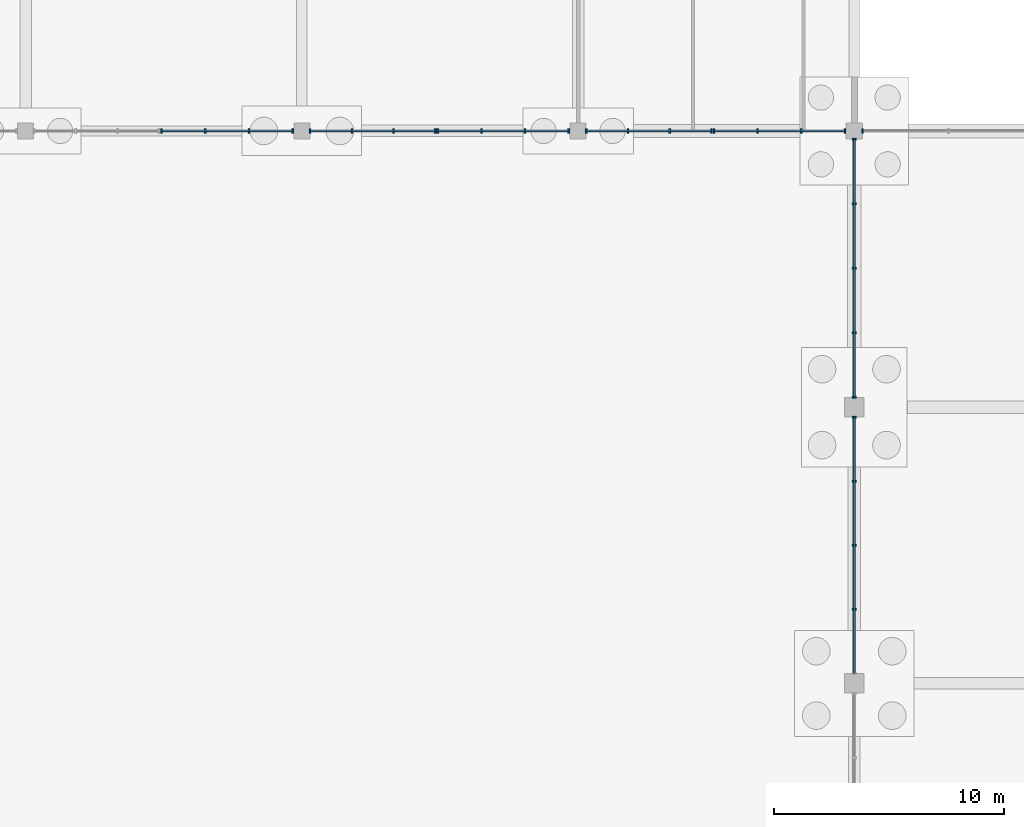
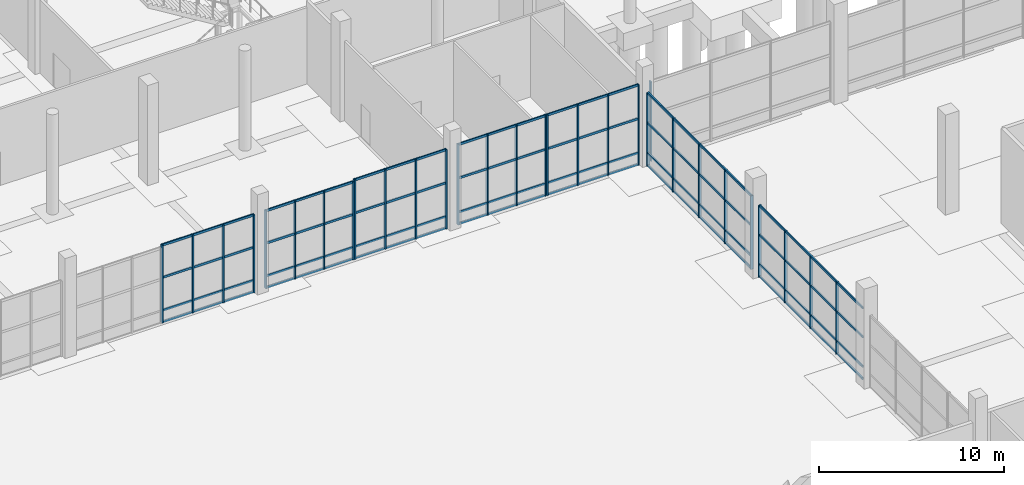
# One storey, part 53 of 117: 58 members, 8 elements without a shape of their own.
"""IFC4 building model written with IfcOpenShell, lengths in metres."""

from ifc_helpers import new_model, si_unit, direction, frame, origin, origin_2d, place, context, subcontext, project, spatial, rectangle, extrude, material, material_profile, profile_set, type_object, element, aggregate, save


model = new_model("IFC4")

# Units and contexts
model_context = context("Model", 3, precision=1e-05, world=origin(), true_north=direction((0.0, 1.0)))
body_context = subcontext(model_context, "Body", "Model", "MODEL_VIEW")
ifc_project = project(units=[si_unit("LENGTHUNIT", "METRE"), si_unit("AREAUNIT", "SQUARE_METRE"), si_unit("VOLUMEUNIT", "CUBIC_METRE"), si_unit("PLANEANGLEUNIT", "RADIAN"), si_unit("MASSUNIT", "GRAM", prefix="KILO")], contexts=[model_context])

# Site, building, storey
site_placement = place(None, origin())
site = spatial("IfcSite", under=ifc_project, at=site_placement, CompositionType="ELEMENT")
building_placement = place(site_placement, origin())
building = spatial("IfcBuilding", under=site, at=building_placement, Name="Kamomehara Wholesale Market", CompositionType="ELEMENT")
storey_placement = place(building_placement, origin())
storey = spatial("IfcBuildingStorey", under=building, at=storey_placement, Name="L00", CompositionType="ELEMENT", Elevation=0.0)

# Curtain wall, members
ifc_material_1 = material(Name="Anodised aluminium 6063-T5", Category="aluminium")
curtain_wall_type_1 = type_object("IfcCurtainWallType", Name="CW-UN-03", PredefinedType="NOTDEFINED", material=ifc_material_1)
curtain_wall_1_placement = place(storey_placement, origin())
curtain_wall_1 = element("IfcCurtainWall", 1, at=curtain_wall_1_placement, inside=storey, type_object=curtain_wall_type_1, Name="Unitised curtain wall CW-023", PredefinedType="NOTDEFINED")
ifc_material_2 = material(Name="Anodised aluminium 6063-T5", Category="aluminium")
ifc_material_profile_1 = material_profile(ifc_material_2, rectangle(XDim=0.074951171875, YDim=0.179931640625, at=origin_2d()), Name="ALU-MUL-75x180")
ifc_profile_set_1 = profile_set([ifc_material_profile_1], Name="Anodised aluminium 6063-T5")
member_type_1 = type_object("IfcMemberType", Name="CW-MUL-180", PredefinedType="MULLION", material=ifc_profile_set_1)
member_1_placement = place(storey_placement, frame((131.60009765625, 96.0, 0.0), z_axis=(0.0, 0.0, 1.0), x_axis=(-1.0, 0.0, 0.0)))
member_1 = element("IfcMember", 2, at=member_1_placement, type_object=member_type_1, Name="Mullion CW-023.0", PredefinedType="MULLION", context=body_context, shape_type="SweptSolid", body=[
    extrude(rectangle(XDim=0.074951171875, YDim=0.179931640625, at=origin_2d()), origin(), (0.0, 0.0, 1.0), 5.137939453125),
])
member_2_placement = place(storey_placement, frame((129.699951171875, 96.0, 0.0), z_axis=(0.0, 0.0, 1.0), x_axis=(-1.0, 0.0, 0.0)))
member_2 = element("IfcMember", 3, at=member_2_placement, type_object=member_type_1, Name="Mullion CW-023.1", PredefinedType="MULLION", context=body_context, shape_type="SweptSolid", body=[
    extrude(rectangle(XDim=0.074951171875, YDim=0.179931640625, at=origin_2d()), origin(), (0.0, 0.0, 1.0), 5.137939453125),
])
member_3_placement = place(storey_placement, frame((127.800048828125, 96.0, 0.0), z_axis=(0.0, 0.0, 1.0), x_axis=(-1.0, 0.0, 0.0)))
member_3 = element("IfcMember", 4, at=member_3_placement, type_object=member_type_1, Name="Mullion CW-023.2", PredefinedType="MULLION", context=body_context, shape_type="SweptSolid", body=[
    extrude(rectangle(XDim=0.074951171875, YDim=0.179931640625, at=origin_2d()), origin(), (0.0, 0.0, 1.0), 5.137939453125),
])
member_4_placement = place(storey_placement, frame((125.89990234375, 96.0, 0.0), z_axis=(0.0, 0.0, 1.0), x_axis=(-1.0, 0.0, 0.0)))
member_4 = element("IfcMember", 5, at=member_4_placement, type_object=member_type_1, Name="Mullion CW-023.3", PredefinedType="MULLION", context=body_context, shape_type="SweptSolid", body=[
    extrude(rectangle(XDim=0.074951171875, YDim=0.179931640625, at=origin_2d()), origin(), (0.0, 0.0, 1.0), 5.137939453125),
])

curtain_wall_2_placement = place(storey_placement, origin())
curtain_wall_2 = element("IfcCurtainWall", 6, at=curtain_wall_2_placement, inside=storey, type_object=curtain_wall_type_1, Name="Unitised curtain wall CW-025", PredefinedType="NOTDEFINED")
member_5_placement = place(storey_placement, frame((143.60009765625, 96.0, 0.0), z_axis=(0.0, 0.0, 1.0), x_axis=(-1.0, 0.0, 0.0)))
member_5 = element("IfcMember", 7, at=member_5_placement, type_object=member_type_1, Name="Mullion CW-025.0", PredefinedType="MULLION", context=body_context, shape_type="SweptSolid", body=[
    extrude(rectangle(XDim=0.074951171875, YDim=0.179931640625, at=origin_2d()), origin(), (0.0, 0.0, 1.0), 5.238037109375),
])
member_6_placement = place(storey_placement, frame((141.699951171875, 96.0, 0.0), z_axis=(0.0, 0.0, 1.0), x_axis=(-1.0, 0.0, 0.0)))
member_6 = element("IfcMember", 8, at=member_6_placement, type_object=member_type_1, Name="Mullion CW-025.1", PredefinedType="MULLION", context=body_context, shape_type="SweptSolid", body=[
    extrude(rectangle(XDim=0.074951171875, YDim=0.179931640625, at=origin_2d()), origin(), (0.0, 0.0, 1.0), 5.238037109375),
])
member_7_placement = place(storey_placement, frame((139.800048828125, 96.0, 0.0), z_axis=(0.0, 0.0, 1.0), x_axis=(-1.0, 0.0, 0.0)))
member_7 = element("IfcMember", 9, at=member_7_placement, type_object=member_type_1, Name="Mullion CW-025.2", PredefinedType="MULLION", context=body_context, shape_type="SweptSolid", body=[
    extrude(rectangle(XDim=0.074951171875, YDim=0.179931640625, at=origin_2d()), origin(), (0.0, 0.0, 1.0), 5.238037109375),
])
member_8_placement = place(storey_placement, frame((137.89990234375, 96.0, 0.0), z_axis=(0.0, 0.0, 1.0), x_axis=(-1.0, 0.0, 0.0)))
member_8 = element("IfcMember", 10, at=member_8_placement, type_object=member_type_1, Name="Mullion CW-025.3", PredefinedType="MULLION", context=body_context, shape_type="SweptSolid", body=[
    extrude(rectangle(XDim=0.074951171875, YDim=0.179931640625, at=origin_2d()), origin(), (0.0, 0.0, 1.0), 5.238037109375),
])

curtain_wall_3_placement = place(storey_placement, origin())
curtain_wall_3 = element("IfcCurtainWall", 11, at=curtain_wall_3_placement, inside=storey, type_object=curtain_wall_type_1, Name="Unitised curtain wall CW-026", PredefinedType="NOTDEFINED")
member_9_placement = place(storey_placement, frame((137.800048828125, 96.0, 0.0), z_axis=(0.0, 0.0, 1.0), x_axis=(-1.0, 0.0, 0.0)))
member_9 = element("IfcMember", 12, at=member_9_placement, type_object=member_type_1, Name="Mullion CW-026.0", PredefinedType="MULLION", context=body_context, shape_type="SweptSolid", body=[
    extrude(rectangle(XDim=0.074951171875, YDim=0.179931640625, at=origin_2d()), origin(), (0.0, 0.0, 1.0), 5.137939453125),
])
member_10_placement = place(storey_placement, frame((135.987060546875, 96.0, 0.0), z_axis=(0.0, 0.0, 1.0), x_axis=(-1.0, 0.0, 0.0)))
member_10 = element("IfcMember", 13, at=member_10_placement, type_object=member_type_1, Name="Mullion CW-026.1", PredefinedType="MULLION", context=body_context, shape_type="SweptSolid", body=[
    extrude(rectangle(XDim=0.074951171875, YDim=0.179931640625, at=origin_2d()), origin(), (0.0, 0.0, 1.0), 5.137939453125),
])
member_11_placement = place(storey_placement, frame((134.173095703125, 96.0, 0.0), z_axis=(0.0, 0.0, 1.0), x_axis=(-1.0, 0.0, 0.0)))
member_11 = element("IfcMember", 14, at=member_11_placement, type_object=member_type_1, Name="Mullion CW-026.2", PredefinedType="MULLION", context=body_context, shape_type="SweptSolid", body=[
    extrude(rectangle(XDim=0.074951171875, YDim=0.179931640625, at=origin_2d()), origin(), (0.0, 0.0, 1.0), 5.137939453125),
])
member_12_placement = place(storey_placement, frame((132.360107421875, 96.0, 0.0), z_axis=(0.0, 0.0, 1.0), x_axis=(-1.0, 0.0, 0.0)))
member_12 = element("IfcMember", 15, at=member_12_placement, type_object=member_type_1, Name="Mullion CW-026.3", PredefinedType="MULLION", context=body_context, shape_type="SweptSolid", body=[
    extrude(rectangle(XDim=0.074951171875, YDim=0.179931640625, at=origin_2d()), origin(), (0.0, 0.0, 1.0), 5.137939453125),
])

curtain_wall_4_placement = place(storey_placement, origin())
curtain_wall_4 = element("IfcCurtainWall", 16, at=curtain_wall_4_placement, inside=storey, type_object=curtain_wall_type_1, Name="Unitised curtain wall CW-027", PredefinedType="NOTDEFINED")
member_13_placement = place(storey_placement, frame((155.60009765625, 96.0, 0.0), z_axis=(0.0, 0.0, 1.0), x_axis=(-1.0, 0.0, 0.0)))
member_13 = element("IfcMember", 17, at=member_13_placement, type_object=member_type_1, Name="Mullion CW-027.0", PredefinedType="MULLION", context=body_context, shape_type="SweptSolid", body=[
    extrude(rectangle(XDim=0.074951171875, YDim=0.179931640625, at=origin_2d()), origin(), (0.0, 0.0, 1.0), 5.30810546875),
])
member_14_placement = place(storey_placement, frame((153.699951171875, 96.0, 0.0), z_axis=(0.0, 0.0, 1.0), x_axis=(-1.0, 0.0, 0.0)))
member_14 = element("IfcMember", 18, at=member_14_placement, type_object=member_type_1, Name="Mullion CW-027.1", PredefinedType="MULLION", context=body_context, shape_type="SweptSolid", body=[
    extrude(rectangle(XDim=0.074951171875, YDim=0.179931640625, at=origin_2d()), origin(), (0.0, 0.0, 1.0), 5.30810546875),
])
member_15_placement = place(storey_placement, frame((151.800048828125, 96.0, 0.0), z_axis=(0.0, 0.0, 1.0), x_axis=(-1.0, 0.0, 0.0)))
member_15 = element("IfcMember", 19, at=member_15_placement, type_object=member_type_1, Name="Mullion CW-027.2", PredefinedType="MULLION", context=body_context, shape_type="SweptSolid", body=[
    extrude(rectangle(XDim=0.074951171875, YDim=0.179931640625, at=origin_2d()), origin(), (0.0, 0.0, 1.0), 5.30810546875),
])
member_16_placement = place(storey_placement, frame((149.89990234375, 96.0, 0.0), z_axis=(0.0, 0.0, 1.0), x_axis=(-1.0, 0.0, 0.0)))
member_16 = element("IfcMember", 20, at=member_16_placement, type_object=member_type_1, Name="Mullion CW-027.3", PredefinedType="MULLION", context=body_context, shape_type="SweptSolid", body=[
    extrude(rectangle(XDim=0.074951171875, YDim=0.179931640625, at=origin_2d()), origin(), (0.0, 0.0, 1.0), 5.30810546875),
])

curtain_wall_5_placement = place(storey_placement, origin())
curtain_wall_5 = element("IfcCurtainWall", 21, at=curtain_wall_5_placement, inside=storey, type_object=curtain_wall_type_1, Name="Unitised curtain wall CW-028", PredefinedType="NOTDEFINED")
member_17_placement = place(storey_placement, frame((149.800048828125, 96.0, 0.0), z_axis=(0.0, 0.0, 1.0), x_axis=(-1.0, 0.0, 0.0)))
member_17 = element("IfcMember", 22, at=member_17_placement, type_object=member_type_1, Name="Mullion CW-028.0", PredefinedType="MULLION", context=body_context, shape_type="SweptSolid", body=[
    extrude(rectangle(XDim=0.074951171875, YDim=0.179931640625, at=origin_2d()), origin(), (0.0, 0.0, 1.0), 5.30810546875),
])
member_18_placement = place(storey_placement, frame((147.987060546875, 96.0, 0.0), z_axis=(0.0, 0.0, 1.0), x_axis=(-1.0, 0.0, 0.0)))
member_18 = element("IfcMember", 23, at=member_18_placement, type_object=member_type_1, Name="Mullion CW-028.1", PredefinedType="MULLION", context=body_context, shape_type="SweptSolid", body=[
    extrude(rectangle(XDim=0.074951171875, YDim=0.179931640625, at=origin_2d()), origin(), (0.0, 0.0, 1.0), 5.30810546875),
])
member_19_placement = place(storey_placement, frame((146.173095703125, 96.0, 0.0), z_axis=(0.0, 0.0, 1.0), x_axis=(-1.0, 0.0, 0.0)))
member_19 = element("IfcMember", 24, at=member_19_placement, type_object=member_type_1, Name="Mullion CW-028.2", PredefinedType="MULLION", context=body_context, shape_type="SweptSolid", body=[
    extrude(rectangle(XDim=0.074951171875, YDim=0.179931640625, at=origin_2d()), origin(), (0.0, 0.0, 1.0), 5.30810546875),
])
member_20_placement = place(storey_placement, frame((144.360107421875, 96.0, 0.0), z_axis=(0.0, 0.0, 1.0), x_axis=(-1.0, 0.0, 0.0)))
member_20 = element("IfcMember", 25, at=member_20_placement, type_object=member_type_1, Name="Mullion CW-028.3", PredefinedType="MULLION", context=body_context, shape_type="SweptSolid", body=[
    extrude(rectangle(XDim=0.074951171875, YDim=0.179931640625, at=origin_2d()), origin(), (0.0, 0.0, 1.0), 5.30810546875),
])

# Curtain wall, member
ifc_material_3 = material(Name="Anodised aluminium 6063-T5", Category="aluminium")
curtain_wall_type_2 = type_object("IfcCurtainWallType", Name="CW-UN-08", PredefinedType="NOTDEFINED", material=ifc_material_3)
curtain_wall_6_placement = place(storey_placement, origin())
curtain_wall_6 = element("IfcCurtainWall", 26, at=curtain_wall_6_placement, inside=storey, type_object=curtain_wall_type_2, Name="Unitised curtain wall CW-171", PredefinedType="NOTDEFINED")
member_21_placement = place(storey_placement, frame((156.360107421875, 96.0, 0.0), z_axis=(0.0, 0.0, 1.0), x_axis=(1.0, 0.0, 0.0)))
member_21 = element("IfcMember", 27, at=member_21_placement, type_object=member_type_1, Name="Mullion CW-171.0", PredefinedType="MULLION", context=body_context, shape_type="SweptSolid", body=[
    extrude(rectangle(XDim=0.074951171875, YDim=0.179931640625, at=origin_2d()), origin(), (0.0, 0.0, 1.0), 5.248046875),
])
aggregate(curtain_wall_6, [member_21])

# Curtain wall, members
ifc_material_4 = material(Name="Anodised aluminium 6063-T5", Category="aluminium")
curtain_wall_type_3 = type_object("IfcCurtainWallType", Name="CW-UN-01", PredefinedType="NOTDEFINED", material=ifc_material_4)
curtain_wall_7_placement = place(storey_placement, origin())
curtain_wall_7 = element("IfcCurtainWall", 28, at=curtain_wall_7_placement, inside=storey, type_object=curtain_wall_type_3, Name="Unitised curtain wall CW-175", PredefinedType="NOTDEFINED")
member_22_placement = place(storey_placement, frame((156.0, 75.218017578125, 0.0), z_axis=(0.0, 0.0, 1.0), x_axis=(0.0, 1.0, 0.0)))
member_22 = element("IfcMember", 29, at=member_22_placement, type_object=member_type_1, Name="Mullion CW-175.1", PredefinedType="MULLION", context=body_context, shape_type="SweptSolid", body=[
    extrude(rectangle(XDim=0.074951171875, YDim=0.179931640625, at=origin_2d()), origin(), (0.0, 0.0, 1.0), 4.748046875),
])
member_23_placement = place(storey_placement, frame((156.0, 78.0, 0.0), z_axis=(0.0, 0.0, 1.0), x_axis=(0.0, 1.0, 0.0)))
member_23 = element("IfcMember", 30, at=member_23_placement, type_object=member_type_1, Name="Mullion CW-175.2", PredefinedType="MULLION", context=body_context, shape_type="SweptSolid", body=[
    extrude(rectangle(XDim=0.074951171875, YDim=0.179931640625, at=origin_2d()), origin(), (0.0, 0.0, 1.0), 4.748046875),
])
member_24_placement = place(storey_placement, frame((156.0, 80.781982421875, 0.0), z_axis=(0.0, 0.0, 1.0), x_axis=(0.0, 1.0, 0.0)))
member_24 = element("IfcMember", 31, at=member_24_placement, type_object=member_type_1, Name="Mullion CW-175.3", PredefinedType="MULLION", context=body_context, shape_type="SweptSolid", body=[
    extrude(rectangle(XDim=0.074951171875, YDim=0.179931640625, at=origin_2d()), origin(), (0.0, 0.0, 1.0), 4.748046875),
])
member_25_placement = place(storey_placement, frame((156.0, 83.56494140625, 0.0), z_axis=(0.0, 0.0, 1.0), x_axis=(0.0, 1.0, 0.0)))
member_25 = element("IfcMember", 32, at=member_25_placement, type_object=member_type_1, Name="Mullion CW-175.4", PredefinedType="MULLION", context=body_context, shape_type="SweptSolid", body=[
    extrude(rectangle(XDim=0.074951171875, YDim=0.179931640625, at=origin_2d()), origin(), (0.0, 0.0, 1.0), 4.748046875),
])

curtain_wall_8_placement = place(storey_placement, origin())
curtain_wall_8 = element("IfcCurtainWall", 33, at=curtain_wall_8_placement, inside=storey, type_object=curtain_wall_type_3, Name="Unitised curtain wall CW-176", PredefinedType="NOTDEFINED")
member_26_placement = place(storey_placement, frame((156.0, 84.43505859375, 0.0), z_axis=(0.0, 0.0, 1.0), x_axis=(0.0, 1.0, 0.0)))
member_26 = element("IfcMember", 34, at=member_26_placement, type_object=member_type_1, Name="Mullion CW-176.0", PredefinedType="MULLION", context=body_context, shape_type="SweptSolid", body=[
    extrude(rectangle(XDim=0.074951171875, YDim=0.179931640625, at=origin_2d()), origin(), (0.0, 0.0, 1.0), 4.847900390625),
])
member_27_placement = place(storey_placement, frame((156.0, 87.236083984375, 0.0), z_axis=(0.0, 0.0, 1.0), x_axis=(0.0, 1.0, 0.0)))
member_27 = element("IfcMember", 35, at=member_27_placement, type_object=member_type_1, Name="Mullion CW-176.1", PredefinedType="MULLION", context=body_context, shape_type="SweptSolid", body=[
    extrude(rectangle(XDim=0.074951171875, YDim=0.179931640625, at=origin_2d()), origin(), (0.0, 0.0, 1.0), 4.847900390625),
])
member_28_placement = place(storey_placement, frame((156.0, 90.037109375, 0.0), z_axis=(0.0, 0.0, 1.0), x_axis=(0.0, 1.0, 0.0)))
member_28 = element("IfcMember", 36, at=member_28_placement, type_object=member_type_1, Name="Mullion CW-176.2", PredefinedType="MULLION", context=body_context, shape_type="SweptSolid", body=[
    extrude(rectangle(XDim=0.074951171875, YDim=0.179931640625, at=origin_2d()), origin(), (0.0, 0.0, 1.0), 4.847900390625),
])
member_29_placement = place(storey_placement, frame((156.0, 92.839111328125, 0.0), z_axis=(0.0, 0.0, 1.0), x_axis=(0.0, 1.0, 0.0)))
member_29 = element("IfcMember", 37, at=member_29_placement, type_object=member_type_1, Name="Mullion CW-176.3", PredefinedType="MULLION", context=body_context, shape_type="SweptSolid", body=[
    extrude(rectangle(XDim=0.074951171875, YDim=0.179931640625, at=origin_2d()), origin(), (0.0, 0.0, 1.0), 4.847900390625),
])
member_30_placement = place(storey_placement, frame((156.0, 95.639892578125, 0.0), z_axis=(0.0, 0.0, 1.0), x_axis=(0.0, 1.0, 0.0)))
member_30 = element("IfcMember", 38, at=member_30_placement, type_object=member_type_1, Name="Mullion CW-176.4", PredefinedType="MULLION", context=body_context, shape_type="SweptSolid", body=[
    extrude(rectangle(XDim=0.074951171875, YDim=0.179931640625, at=origin_2d()), origin(), (0.0, 0.0, 1.0), 4.847900390625),
])

# Member
ifc_material_5 = material(Name="Anodised aluminium 6063-T5", Category="aluminium")
ifc_material_profile_2 = material_profile(ifc_material_5, rectangle(XDim=0.074951171875, YDim=0.14990234375, at=origin_2d()), Name="ALU-TRN-75x150")
ifc_profile_set_2 = profile_set([ifc_material_profile_2], Name="Anodised aluminium 6063-T5")
member_type_2 = type_object("IfcMemberType", Name="CW-TRN-150", PredefinedType="USERDEFINED", material=ifc_profile_set_2)
member_31_placement = place(storey_placement, frame((131.60009765625, 96.0, 0.0400390625), z_axis=(-1.0, 0.0, 0.0), x_axis=(0.0, -1.0, 0.0)))
member_31 = element("IfcMember", 39, at=member_31_placement, type_object=member_type_2, Name="Transom CW-023.0", ObjectType="TRANSOM", PredefinedType="USERDEFINED", context=body_context, shape_type="SweptSolid", body=[
    extrude(rectangle(XDim=0.074951171875, YDim=0.14990234375, at=origin_2d()), origin(), (0.0, 0.0, 1.0), 5.7001953125),
])

member_32_placement = place(storey_placement, frame((131.60009765625, 96.0, 0.800048828125), z_axis=(-1.0, 0.0, 0.0), x_axis=(0.0, -1.0, 0.0)))
member_32 = element("IfcMember", 40, at=member_32_placement, type_object=member_type_2, Name="Transom CW-023.1", ObjectType="TRANSOM", PredefinedType="USERDEFINED", context=body_context, shape_type="SweptSolid", body=[
    extrude(rectangle(XDim=0.074951171875, YDim=0.14990234375, at=origin_2d()), origin(), (0.0, 0.0, 1.0), 5.7001953125),
])

member_33_placement = place(storey_placement, frame((131.60009765625, 96.0, 2.968994140625), z_axis=(-1.0, 0.0, 0.0), x_axis=(0.0, -1.0, 0.0)))
member_33 = element("IfcMember", 41, at=member_33_placement, type_object=member_type_2, Name="Transom CW-023.2", ObjectType="TRANSOM", PredefinedType="USERDEFINED", context=body_context, shape_type="SweptSolid", body=[
    extrude(rectangle(XDim=0.074951171875, YDim=0.14990234375, at=origin_2d()), origin(), (0.0, 0.0, 1.0), 5.7001953125),
])

member_34_placement = place(storey_placement, frame((131.60009765625, 96.0, 5.097900390625), z_axis=(-1.0, 0.0, 0.0), x_axis=(0.0, -1.0, 0.0)))
member_34 = element("IfcMember", 42, at=member_34_placement, type_object=member_type_2, Name="Transom CW-023.3", ObjectType="TRANSOM", PredefinedType="USERDEFINED", context=body_context, shape_type="SweptSolid", body=[
    extrude(rectangle(XDim=0.074951171875, YDim=0.14990234375, at=origin_2d()), origin(), (0.0, 0.0, 1.0), 5.7001953125),
])

aggregate(curtain_wall_1, [member_1, member_2, member_3, member_4, member_31, member_32, member_33, member_34])

member_35_placement = place(storey_placement, frame((143.60009765625, 96.0, 0.0400390625), z_axis=(-1.0, 0.0, 0.0), x_axis=(0.0, -1.0, 0.0)))
member_35 = element("IfcMember", 43, at=member_35_placement, type_object=member_type_2, Name="Transom CW-025.0", ObjectType="TRANSOM", PredefinedType="USERDEFINED", context=body_context, shape_type="SweptSolid", body=[
    extrude(rectangle(XDim=0.074951171875, YDim=0.14990234375, at=origin_2d()), origin(), (0.0, 0.0, 1.0), 5.7001953125),
])

member_36_placement = place(storey_placement, frame((143.60009765625, 96.0, 0.800048828125), z_axis=(-1.0, 0.0, 0.0), x_axis=(0.0, -1.0, 0.0)))
member_36 = element("IfcMember", 44, at=member_36_placement, type_object=member_type_2, Name="Transom CW-025.1", ObjectType="TRANSOM", PredefinedType="USERDEFINED", context=body_context, shape_type="SweptSolid", body=[
    extrude(rectangle(XDim=0.074951171875, YDim=0.14990234375, at=origin_2d()), origin(), (0.0, 0.0, 1.0), 5.7001953125),
])

member_37_placement = place(storey_placement, frame((143.60009765625, 96.0, 3.01904296875), z_axis=(-1.0, 0.0, 0.0), x_axis=(0.0, -1.0, 0.0)))
member_37 = element("IfcMember", 45, at=member_37_placement, type_object=member_type_2, Name="Transom CW-025.2", ObjectType="TRANSOM", PredefinedType="USERDEFINED", context=body_context, shape_type="SweptSolid", body=[
    extrude(rectangle(XDim=0.074951171875, YDim=0.14990234375, at=origin_2d()), origin(), (0.0, 0.0, 1.0), 5.7001953125),
])

member_38_placement = place(storey_placement, frame((143.60009765625, 96.0, 5.197998046875), z_axis=(-1.0, 0.0, 0.0), x_axis=(0.0, -1.0, 0.0)))
member_38 = element("IfcMember", 46, at=member_38_placement, type_object=member_type_2, Name="Transom CW-025.3", ObjectType="TRANSOM", PredefinedType="USERDEFINED", context=body_context, shape_type="SweptSolid", body=[
    extrude(rectangle(XDim=0.074951171875, YDim=0.14990234375, at=origin_2d()), origin(), (0.0, 0.0, 1.0), 5.7001953125),
])

aggregate(curtain_wall_2, [member_5, member_6, member_7, member_8, member_35, member_36, member_37, member_38])

member_39_placement = place(storey_placement, frame((137.800048828125, 96.0, 0.0400390625), z_axis=(-1.0, 0.0, 0.0), x_axis=(0.0, -1.0, 0.0)))
member_39 = element("IfcMember", 47, at=member_39_placement, type_object=member_type_2, Name="Transom CW-026.0", ObjectType="TRANSOM", PredefinedType="USERDEFINED", context=body_context, shape_type="SweptSolid", body=[
    extrude(rectangle(XDim=0.074951171875, YDim=0.14990234375, at=origin_2d()), origin(), (0.0, 0.0, 1.0), 5.43994140625),
])

member_40_placement = place(storey_placement, frame((137.800048828125, 96.0, 0.800048828125), z_axis=(-1.0, 0.0, 0.0), x_axis=(0.0, -1.0, 0.0)))
member_40 = element("IfcMember", 48, at=member_40_placement, type_object=member_type_2, Name="Transom CW-026.1", ObjectType="TRANSOM", PredefinedType="USERDEFINED", context=body_context, shape_type="SweptSolid", body=[
    extrude(rectangle(XDim=0.074951171875, YDim=0.14990234375, at=origin_2d()), origin(), (0.0, 0.0, 1.0), 5.43994140625),
])

member_41_placement = place(storey_placement, frame((137.800048828125, 96.0, 2.968994140625), z_axis=(-1.0, 0.0, 0.0), x_axis=(0.0, -1.0, 0.0)))
member_41 = element("IfcMember", 49, at=member_41_placement, type_object=member_type_2, Name="Transom CW-026.2", ObjectType="TRANSOM", PredefinedType="USERDEFINED", context=body_context, shape_type="SweptSolid", body=[
    extrude(rectangle(XDim=0.074951171875, YDim=0.14990234375, at=origin_2d()), origin(), (0.0, 0.0, 1.0), 5.43994140625),
])

member_42_placement = place(storey_placement, frame((137.800048828125, 96.0, 5.097900390625), z_axis=(-1.0, 0.0, 0.0), x_axis=(0.0, -1.0, 0.0)))
member_42 = element("IfcMember", 50, at=member_42_placement, type_object=member_type_2, Name="Transom CW-026.3", ObjectType="TRANSOM", PredefinedType="USERDEFINED", context=body_context, shape_type="SweptSolid", body=[
    extrude(rectangle(XDim=0.074951171875, YDim=0.14990234375, at=origin_2d()), origin(), (0.0, 0.0, 1.0), 5.43994140625),
])

aggregate(curtain_wall_3, [member_9, member_10, member_11, member_12, member_39, member_40, member_41, member_42])

member_43_placement = place(storey_placement, frame((155.60009765625, 96.0, 0.0400390625), z_axis=(-1.0, 0.0, 0.0), x_axis=(0.0, -1.0, 0.0)))
member_43 = element("IfcMember", 51, at=member_43_placement, type_object=member_type_2, Name="Transom CW-027.0", ObjectType="TRANSOM", PredefinedType="USERDEFINED", context=body_context, shape_type="SweptSolid", body=[
    extrude(rectangle(XDim=0.074951171875, YDim=0.14990234375, at=origin_2d()), origin(), (0.0, 0.0, 1.0), 5.7001953125),
])

member_44_placement = place(storey_placement, frame((155.60009765625, 96.0, 0.800048828125), z_axis=(-1.0, 0.0, 0.0), x_axis=(0.0, -1.0, 0.0)))
member_44 = element("IfcMember", 52, at=member_44_placement, type_object=member_type_2, Name="Transom CW-027.1", ObjectType="TRANSOM", PredefinedType="USERDEFINED", context=body_context, shape_type="SweptSolid", body=[
    extrude(rectangle(XDim=0.074951171875, YDim=0.14990234375, at=origin_2d()), origin(), (0.0, 0.0, 1.0), 5.7001953125),
])

member_45_placement = place(storey_placement, frame((155.60009765625, 96.0, 3.053955078125), z_axis=(-1.0, 0.0, 0.0), x_axis=(0.0, -1.0, 0.0)))
member_45 = element("IfcMember", 53, at=member_45_placement, type_object=member_type_2, Name="Transom CW-027.2", ObjectType="TRANSOM", PredefinedType="USERDEFINED", context=body_context, shape_type="SweptSolid", body=[
    extrude(rectangle(XDim=0.074951171875, YDim=0.14990234375, at=origin_2d()), origin(), (0.0, 0.0, 1.0), 5.7001953125),
])

member_46_placement = place(storey_placement, frame((155.60009765625, 96.0, 5.26806640625), z_axis=(-1.0, 0.0, 0.0), x_axis=(0.0, -1.0, 0.0)))
member_46 = element("IfcMember", 54, at=member_46_placement, type_object=member_type_2, Name="Transom CW-027.3", ObjectType="TRANSOM", PredefinedType="USERDEFINED", context=body_context, shape_type="SweptSolid", body=[
    extrude(rectangle(XDim=0.074951171875, YDim=0.14990234375, at=origin_2d()), origin(), (0.0, 0.0, 1.0), 5.7001953125),
])

aggregate(curtain_wall_4, [member_13, member_14, member_15, member_16, member_43, member_44, member_45, member_46])

member_47_placement = place(storey_placement, frame((149.800048828125, 96.0, 0.0400390625), z_axis=(-1.0, 0.0, 0.0), x_axis=(0.0, -1.0, 0.0)))
member_47 = element("IfcMember", 55, at=member_47_placement, type_object=member_type_2, Name="Transom CW-028.0", ObjectType="TRANSOM", PredefinedType="USERDEFINED", context=body_context, shape_type="SweptSolid", body=[
    extrude(rectangle(XDim=0.074951171875, YDim=0.14990234375, at=origin_2d()), origin(), (0.0, 0.0, 1.0), 5.43994140625),
])

member_48_placement = place(storey_placement, frame((149.800048828125, 96.0, 0.800048828125), z_axis=(-1.0, 0.0, 0.0), x_axis=(0.0, -1.0, 0.0)))
member_48 = element("IfcMember", 56, at=member_48_placement, type_object=member_type_2, Name="Transom CW-028.1", ObjectType="TRANSOM", PredefinedType="USERDEFINED", context=body_context, shape_type="SweptSolid", body=[
    extrude(rectangle(XDim=0.074951171875, YDim=0.14990234375, at=origin_2d()), origin(), (0.0, 0.0, 1.0), 5.43994140625),
])

member_49_placement = place(storey_placement, frame((149.800048828125, 96.0, 3.053955078125), z_axis=(-1.0, 0.0, 0.0), x_axis=(0.0, -1.0, 0.0)))
member_49 = element("IfcMember", 57, at=member_49_placement, type_object=member_type_2, Name="Transom CW-028.2", ObjectType="TRANSOM", PredefinedType="USERDEFINED", context=body_context, shape_type="SweptSolid", body=[
    extrude(rectangle(XDim=0.074951171875, YDim=0.14990234375, at=origin_2d()), origin(), (0.0, 0.0, 1.0), 5.43994140625),
])

member_50_placement = place(storey_placement, frame((149.800048828125, 96.0, 5.26806640625), z_axis=(-1.0, 0.0, 0.0), x_axis=(0.0, -1.0, 0.0)))
member_50 = element("IfcMember", 58, at=member_50_placement, type_object=member_type_2, Name="Transom CW-028.3", ObjectType="TRANSOM", PredefinedType="USERDEFINED", context=body_context, shape_type="SweptSolid", body=[
    extrude(rectangle(XDim=0.074951171875, YDim=0.14990234375, at=origin_2d()), origin(), (0.0, 0.0, 1.0), 5.43994140625),
])

aggregate(curtain_wall_5, [member_17, member_18, member_19, member_20, member_47, member_48, member_49, member_50])

member_51_placement = place(storey_placement, frame((156.0, 72.43505859375, 0.0400390625), z_axis=(0.0, 1.0, 0.0), x_axis=(-1.0, 0.0, 0.0)))
member_51 = element("IfcMember", 59, at=member_51_placement, type_object=member_type_2, Name="Transom CW-175.0", ObjectType="TRANSOM", PredefinedType="USERDEFINED", context=body_context, shape_type="SweptSolid", body=[
    extrude(rectangle(XDim=0.074951171875, YDim=0.14990234375, at=origin_2d()), origin(), (0.0, 0.0, 1.0), 11.1298828125),
])

member_52_placement = place(storey_placement, frame((156.0, 72.43505859375, 0.85009765625), z_axis=(0.0, 1.0, 0.0), x_axis=(-1.0, 0.0, 0.0)))
member_52 = element("IfcMember", 60, at=member_52_placement, type_object=member_type_2, Name="Transom CW-175.1", ObjectType="TRANSOM", PredefinedType="USERDEFINED", context=body_context, shape_type="SweptSolid", body=[
    extrude(rectangle(XDim=0.074951171875, YDim=0.14990234375, at=origin_2d()), origin(), (0.0, 0.0, 1.0), 11.1298828125),
])

member_53_placement = place(storey_placement, frame((156.0, 72.43505859375, 2.799072265625), z_axis=(0.0, 1.0, 0.0), x_axis=(-1.0, 0.0, 0.0)))
member_53 = element("IfcMember", 61, at=member_53_placement, type_object=member_type_2, Name="Transom CW-175.2", ObjectType="TRANSOM", PredefinedType="USERDEFINED", context=body_context, shape_type="SweptSolid", body=[
    extrude(rectangle(XDim=0.074951171875, YDim=0.14990234375, at=origin_2d()), origin(), (0.0, 0.0, 1.0), 11.1298828125),
])

member_54_placement = place(storey_placement, frame((156.0, 72.43505859375, 4.7080078125), z_axis=(0.0, 1.0, 0.0), x_axis=(-1.0, 0.0, 0.0)))
member_54 = element("IfcMember", 62, at=member_54_placement, type_object=member_type_2, Name="Transom CW-175.3", ObjectType="TRANSOM", PredefinedType="USERDEFINED", context=body_context, shape_type="SweptSolid", body=[
    extrude(rectangle(XDim=0.074951171875, YDim=0.14990234375, at=origin_2d()), origin(), (0.0, 0.0, 1.0), 11.1298828125),
])

aggregate(curtain_wall_7, [member_22, member_23, member_24, member_25, member_51, member_52, member_53, member_54])

member_55_placement = place(storey_placement, frame((156.0, 84.43505859375, 0.0400390625), z_axis=(0.0, 1.0, 0.0), x_axis=(-1.0, 0.0, 0.0)))
member_55 = element("IfcMember", 63, at=member_55_placement, type_object=member_type_2, Name="Transom CW-176.0", ObjectType="TRANSOM", PredefinedType="USERDEFINED", context=body_context, shape_type="SweptSolid", body=[
    extrude(rectangle(XDim=0.074951171875, YDim=0.14990234375, at=origin_2d()), origin(), (0.0, 0.0, 1.0), 11.204833984375),
])

member_56_placement = place(storey_placement, frame((156.0, 84.43505859375, 0.85009765625), z_axis=(0.0, 1.0, 0.0), x_axis=(-1.0, 0.0, 0.0)))
member_56 = element("IfcMember", 64, at=member_56_placement, type_object=member_type_2, Name="Transom CW-176.1", ObjectType="TRANSOM", PredefinedType="USERDEFINED", context=body_context, shape_type="SweptSolid", body=[
    extrude(rectangle(XDim=0.074951171875, YDim=0.14990234375, at=origin_2d()), origin(), (0.0, 0.0, 1.0), 11.204833984375),
])

member_57_placement = place(storey_placement, frame((156.0, 84.43505859375, 2.84912109375), z_axis=(0.0, 1.0, 0.0), x_axis=(-1.0, 0.0, 0.0)))
member_57 = element("IfcMember", 65, at=member_57_placement, type_object=member_type_2, Name="Transom CW-176.2", ObjectType="TRANSOM", PredefinedType="USERDEFINED", context=body_context, shape_type="SweptSolid", body=[
    extrude(rectangle(XDim=0.074951171875, YDim=0.14990234375, at=origin_2d()), origin(), (0.0, 0.0, 1.0), 11.204833984375),
])

member_58_placement = place(storey_placement, frame((156.0, 84.43505859375, 4.80810546875), z_axis=(0.0, 1.0, 0.0), x_axis=(-1.0, 0.0, 0.0)))
member_58 = element("IfcMember", 66, at=member_58_placement, type_object=member_type_2, Name="Transom CW-176.3", ObjectType="TRANSOM", PredefinedType="USERDEFINED", context=body_context, shape_type="SweptSolid", body=[
    extrude(rectangle(XDim=0.074951171875, YDim=0.14990234375, at=origin_2d()), origin(), (0.0, 0.0, 1.0), 11.204833984375),
])

aggregate(curtain_wall_8, [member_26, member_27, member_28, member_29, member_30, member_55, member_56, member_57, member_58])

save(model, "model.ifc")
